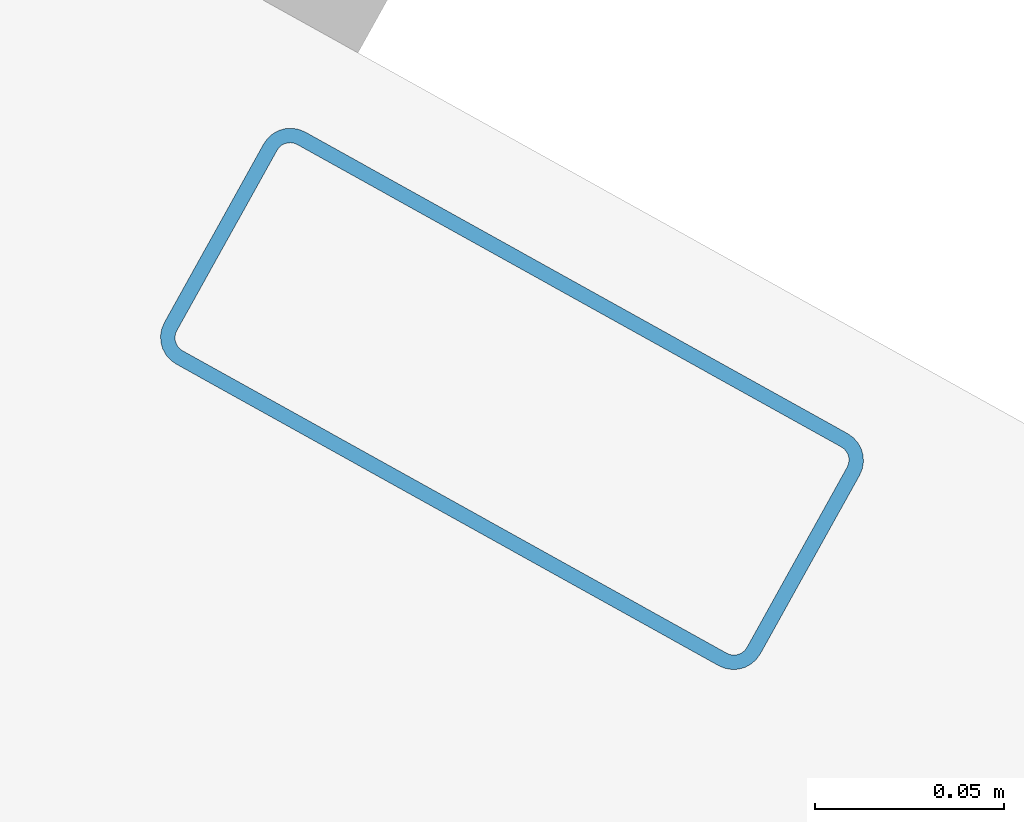
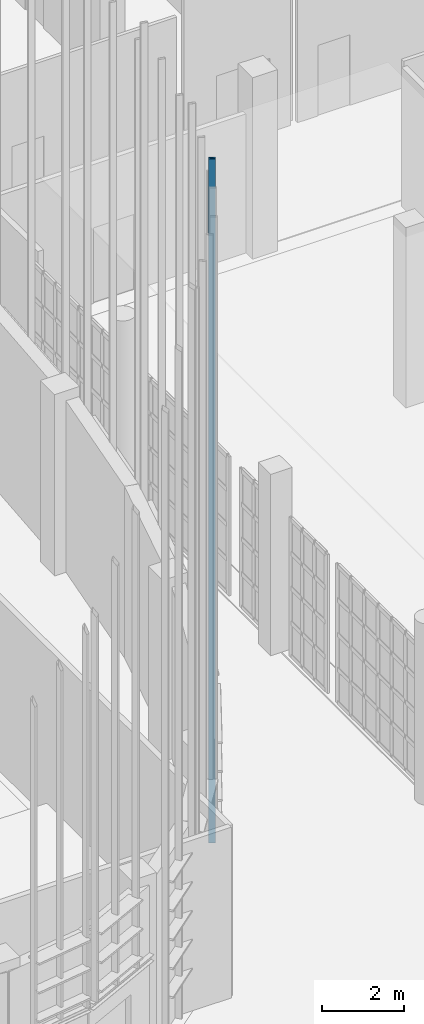
# One storey, part 208 of 372: 1 member.
"""IFC4 building model written with IfcOpenShell, lengths in metres."""

import ifcopenshell
import ifcopenshell.guid

model = None  # the IFC model being written
_history = None  # IfcOwnerHistory: only IFC2X3 demands one
_inside = {}  # id of a spatial element -> (the spatial element, [elements in it])
_under = {}  # id of a project, library or spatial element -> (it, [spatial elements below it])
_declared = {}  # id of a project -> (the project, [libraries it declares])
_typed = {}  # id of a type object -> (the type object, [elements of that type])
_made_of = {}  # id of a material, layer set ... -> (it, [elements and type objects made of it])


def new_model(schema):
    """Start an empty IFC model of exactly this schema.

    Asked for "IFC4X3", IfcOpenShell would pick the latest addendum, in which some entities
    have other attributes; the version numbers below select the first issue.
    IFC2X3 requires an IfcOwnerHistory on every rooted entity: one is made here for all.
    """
    global model, _history
    if schema == "IFC4X3":
        model = ifcopenshell.file(schema_version=(4, 3, 0, 0))
    else:
        model = ifcopenshell.file(schema=schema)
    _inside.clear()
    _under.clear()
    _declared.clear()
    _typed.clear()
    _made_of.clear()
    _history = None
    if model.schema == "IFC2X3":
        org = make("IfcOrganization", Name="unknown")
        user = make(
            "IfcPersonAndOrganization",
            ThePerson=make("IfcPerson", FamilyName="unknown"),
            TheOrganization=org,
        )
        app = make(
            "IfcApplication",
            ApplicationDeveloper=org,
            Version="unknown",
            ApplicationFullName="unknown",
            ApplicationIdentifier="unknown",
        )
        _history = make(
            "IfcOwnerHistory",
            OwningUser=user,
            OwningApplication=app,
            ChangeAction="ADDED",
            CreationDate=0,
        )
    return model


def make(cls, **values):
    """One entity of the class cls with the attributes given. An attribute that is None is left unset."""
    return model.create_entity(
        cls, **{name: value for name, value in values.items() if value is not None}
    )


def rooted(cls, **values):
    """An entity with a GlobalId (a new one), such as an element, a storey or a relation."""
    return make(cls, GlobalId=ifcopenshell.guid.new(), OwnerHistory=_history, **values)


def si_unit(unit_type, name, prefix=None):
    """IfcSIUnit, for example si_unit("LENGTHUNIT", "METRE", prefix="MILLI")."""
    return make("IfcSIUnit", UnitType=unit_type, Prefix=prefix, Name=name)


def assignment(units):
    """IfcUnitAssignment: the units of a project."""
    return None if units is None else make("IfcUnitAssignment", Units=units)


def point(xyz):
    """IfcCartesianPoint."""
    return None if xyz is None else make("IfcCartesianPoint", Coordinates=xyz)


def direction(xyz):
    """IfcDirection."""
    return None if xyz is None else make("IfcDirection", DirectionRatios=xyz)


def frame(location, z_axis=None, x_axis=None):
    """IfcAxis2Placement3D, a coordinate frame: its origin and axes. An axis left out is left unset."""
    return make(
        "IfcAxis2Placement3D",
        Location=point(location),
        Axis=direction(z_axis),
        RefDirection=direction(x_axis),
    )


def frame_2d(location, x_axis=None):
    """IfcAxis2Placement2D, a coordinate frame in the plane: its origin and x axis."""
    return make(
        "IfcAxis2Placement2D", Location=point(location), RefDirection=direction(x_axis)
    )


def origin():
    """The frame at (0, 0, 0) with its axes left unset."""
    return frame((0.0, 0.0, 0.0))


def origin_2d():
    """The frame at (0, 0) in the plane with its x axis left unset."""
    return frame_2d((0.0, 0.0))


def place(relative_to, where):
    """IfcLocalPlacement: puts the frame where relative to a parent placement (None: the world)."""
    return make(
        "IfcLocalPlacement", PlacementRelTo=relative_to, RelativePlacement=where
    )


def context(
    kind, dimensions, precision=None, world=None, true_north=None, identifier=None
):
    """IfcGeometricRepresentationContext, for example the 3D "Model" context."""
    return make(
        "IfcGeometricRepresentationContext",
        ContextIdentifier=identifier,
        ContextType=kind,
        CoordinateSpaceDimension=dimensions,
        Precision=precision,
        WorldCoordinateSystem=world,
        TrueNorth=true_north,
    )


def subcontext(parent, identifier, kind, view, scale=None):
    """IfcGeometricRepresentationSubContext, for example "Body" below "Model"."""
    return make(
        "IfcGeometricRepresentationSubContext",
        ContextIdentifier=identifier,
        ContextType=kind,
        ParentContext=parent,
        TargetScale=scale,
        TargetView=view,
    )


def project(units=None, contexts=None):
    """IfcProject with its units and contexts."""
    return rooted(
        "IfcProject",
        Name="project",
        RepresentationContexts=contexts,
        UnitsInContext=assignment(units),
    )


def spatial(cls, under=None, at=None, **own):
    """A site, building, storey or space (cls), placed at a placement, below another one or the project."""
    s = rooted(cls, ObjectPlacement=at, **own)
    if under is not None:
        _under.setdefault(under.id(), (under, []))[1].append(s)
    return s


def profile(cls, at=None, kind="AREA", **sizes):
    """A parametric profile (cls). Its sizes go by their IFC names, for example OverallWidth=200.0."""
    return make(cls, ProfileType=kind, Position=at, **sizes)


def hollow_rectangle(**sizes):
    """IfcRectangleHollowProfileDef."""
    return profile("IfcRectangleHollowProfileDef", **sizes)


def extrude(swept, where, along, depth):
    """IfcExtrudedAreaSolid: the profile swept, set in the frame where, extruded along a direction by depth."""
    return make(
        "IfcExtrudedAreaSolid",
        SweptArea=swept,
        Position=where,
        ExtrudedDirection=direction(along),
        Depth=depth,
    )


def shape(context_of_items, identifier, shape_type, items):
    """IfcShapeRepresentation: the items that make up one representation, for example the "Body"."""
    return make(
        "IfcShapeRepresentation",
        ContextOfItems=context_of_items,
        RepresentationIdentifier=identifier,
        RepresentationType=shape_type,
        Items=items,
    )


def material(Name=None, Category=None):
    """IfcMaterial."""
    return make("IfcMaterial", Name=Name, Category=Category)


def material_profile(
    of_material, cross_section, Name=None, Category=None, Priority=None
):
    """IfcMaterialProfile: a cross section and its material."""
    return make(
        "IfcMaterialProfile",
        Name=Name,
        Material=of_material,
        Profile=cross_section,
        Priority=Priority,
        Category=Category,
    )


def profile_set(profiles, Name=None, composite=None):
    """IfcMaterialProfileSet."""
    return make(
        "IfcMaterialProfileSet",
        Name=Name,
        MaterialProfiles=profiles,
        CompositeProfile=composite,
    )


def made_of(thing, what):
    """Note that an element or type object is made of a material, layer set ...; save() writes the relation."""
    if what is not None:
        _made_of.setdefault(what.id(), (what, []))[1].append(thing)
    return thing


def type_object(cls, material=None, **own):
    """A type object (cls), such as IfcWallType, which elements share."""
    return made_of(rooted(cls, **own), material)


def element(
    cls,
    number,
    at=None,
    inside=None,
    cuts=None,
    type_object=None,
    material=None,
    context=None,
    identifier="Body",
    shape_type=None,
    held_by="IfcProductDefinitionShape",
    body=None,
    shapes=None,
    **own,
):
    """One element of the class cls, such as IfcWall. Its Tag is "e" and its number.

    at: its placement. inside: the storey or other place that contains it. cuts: it is an
    opening in that element (IfcRelVoidsElement). A single representation is given by context,
    identifier, shape_type and body (its items); several are given by shapes. held_by: the class
    of the entity that holds the representations. save() writes the other relations.
    """
    e = rooted(cls, Tag="e%d" % number, ObjectPlacement=at, **own)
    if body is not None:
        shapes = [shape(context, identifier, shape_type, body)]
    if shapes is not None:
        e.Representation = make(held_by, Representations=shapes)
    if inside is not None:
        _inside.setdefault(inside.id(), (inside, []))[1].append(e)
    if cuts is not None:
        rooted(
            "IfcRelVoidsElement", RelatingBuildingElement=cuts, RelatedOpeningElement=e
        )
    if type_object is not None:
        _typed.setdefault(type_object.id(), (type_object, []))[1].append(e)
    return made_of(e, material)


def aggregate(whole, parts):
    """IfcRelAggregates: a whole, such as a stair, and the parts it consists of."""
    return rooted("IfcRelAggregates", RelatingObject=whole, RelatedObjects=parts)


def save(model, path):
    """Write the relations noted so far, then the file.

    IfcRelAggregates (storeys below a building ...), IfcRelContainedInSpatialStructure (elements
    in a storey), IfcRelDefinesByType, IfcRelAssociatesMaterial and IfcRelDeclares: one each for
    every whole, place, type object, material and project.
    """
    for whole, parts in _under.values():
        aggregate(whole, parts)
    for where, things in _inside.values():
        rooted(
            "IfcRelContainedInSpatialStructure",
            RelatedElements=things,
            RelatingStructure=where,
        )
    for kind, things in _typed.values():
        rooted("IfcRelDefinesByType", RelatedObjects=things, RelatingType=kind)
    for what, things in _made_of.values():
        rooted("IfcRelAssociatesMaterial", RelatedObjects=things, RelatingMaterial=what)
    for by, libraries in _declared.values():
        rooted("IfcRelDeclares", RelatingContext=by, RelatedDefinitions=libraries)
    model.write(path)


model = new_model("IFC4")

# Units and contexts
model_context = context("Model", 3, precision=1e-05, world=origin(), true_north=direction((0.0, 1.0)))
body_context = subcontext(model_context, "Body", "Model", "MODEL_VIEW")
ifc_project = project(units=[si_unit("LENGTHUNIT", "METRE"), si_unit("AREAUNIT", "SQUARE_METRE"), si_unit("VOLUMEUNIT", "CUBIC_METRE"), si_unit("PLANEANGLEUNIT", "RADIAN"), si_unit("MASSUNIT", "GRAM", prefix="KILO")], contexts=[model_context])

# Site, building, storey
site_placement = place(None, origin())
site = spatial("IfcSite", under=ifc_project, at=site_placement, CompositionType="ELEMENT")
building_placement = place(site_placement, origin())
building = spatial("IfcBuilding", under=site, at=building_placement, Name="Kaelora Sail Theatre", CompositionType="ELEMENT")
storey_placement = place(building_placement, origin())
storey = spatial("IfcBuildingStorey", under=building, at=storey_placement, Name="L00", CompositionType="ELEMENT", Elevation=0.0)

# Member
ifc_material = material(Name="Anodised aluminium 6063-T6", Category="aluminium")
ifc_material_profile = material_profile(ifc_material, hollow_rectangle(XDim=0.070068359375, YDim=0.179931640625, WallThickness=0.00390625, InnerFilletRadius=0.00390625, OuterFilletRadius=0.008056640625, at=origin_2d()), Name="ALU-MULL 70x180x4")
ifc_profile_set = profile_set([ifc_material_profile], Name="Anodised aluminium 6063-T6")
member_type = type_object("IfcMemberType", Name="ARC-MEM-PST-160", PredefinedType="POST", material=ifc_profile_set)
member_placement = place(storey_placement, frame((101.301025390625, 39.698486328125, 0.0), z_axis=(0.0, 0.0, 1.0), x_axis=(-0.485877807712, -0.874026747859, 0.0)))
element("IfcMember", 1, at=member_placement, inside=storey, type_object=member_type, Name="Studio Theatre Sail Drum solar louvre vertical support post C6-1", PredefinedType="POST", context=body_context, shape_type="SweptSolid", body=[
    extrude(hollow_rectangle(XDim=0.070068359375, YDim=0.179931640625, WallThickness=0.00390625, InnerFilletRadius=0.00390625, OuterFilletRadius=0.008056640625, at=origin_2d()), origin(), (0.0, 0.0, 1.0), 20.368896484375),
])

save(model, "model.ifc")
